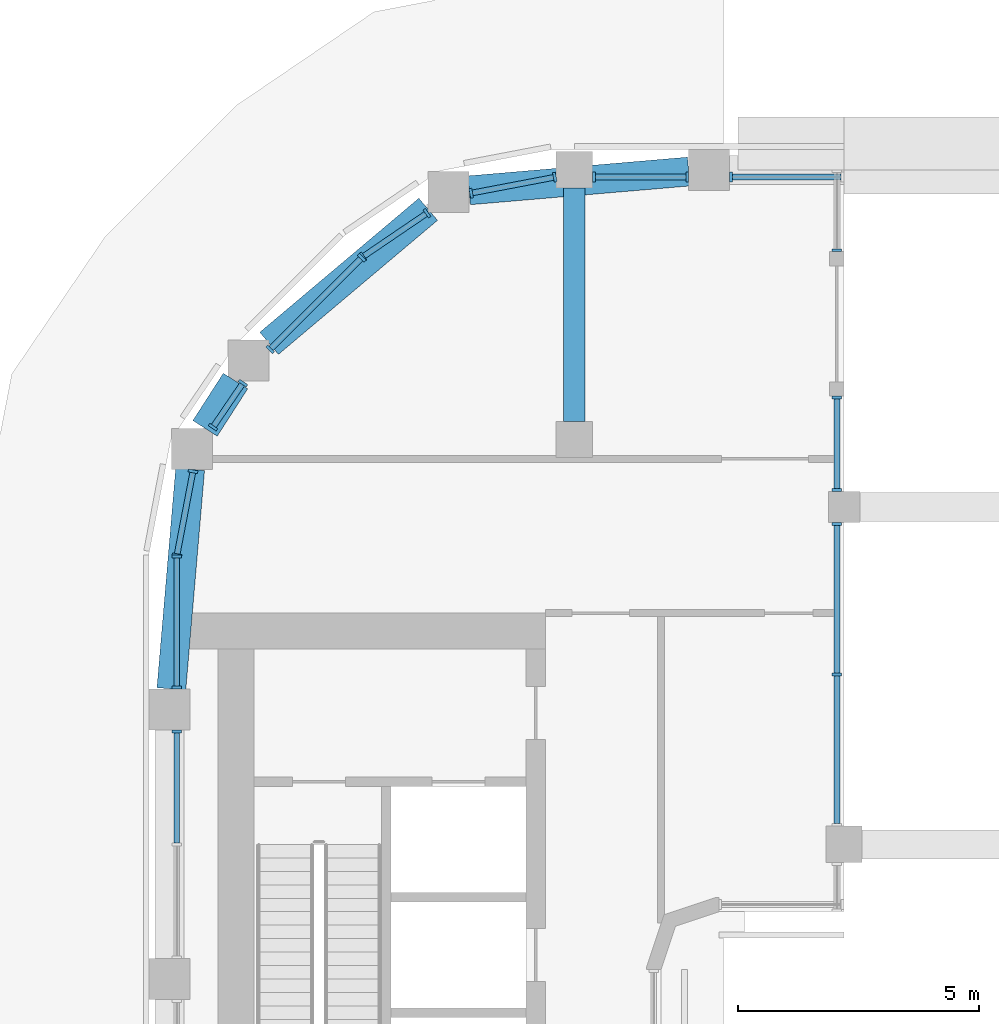
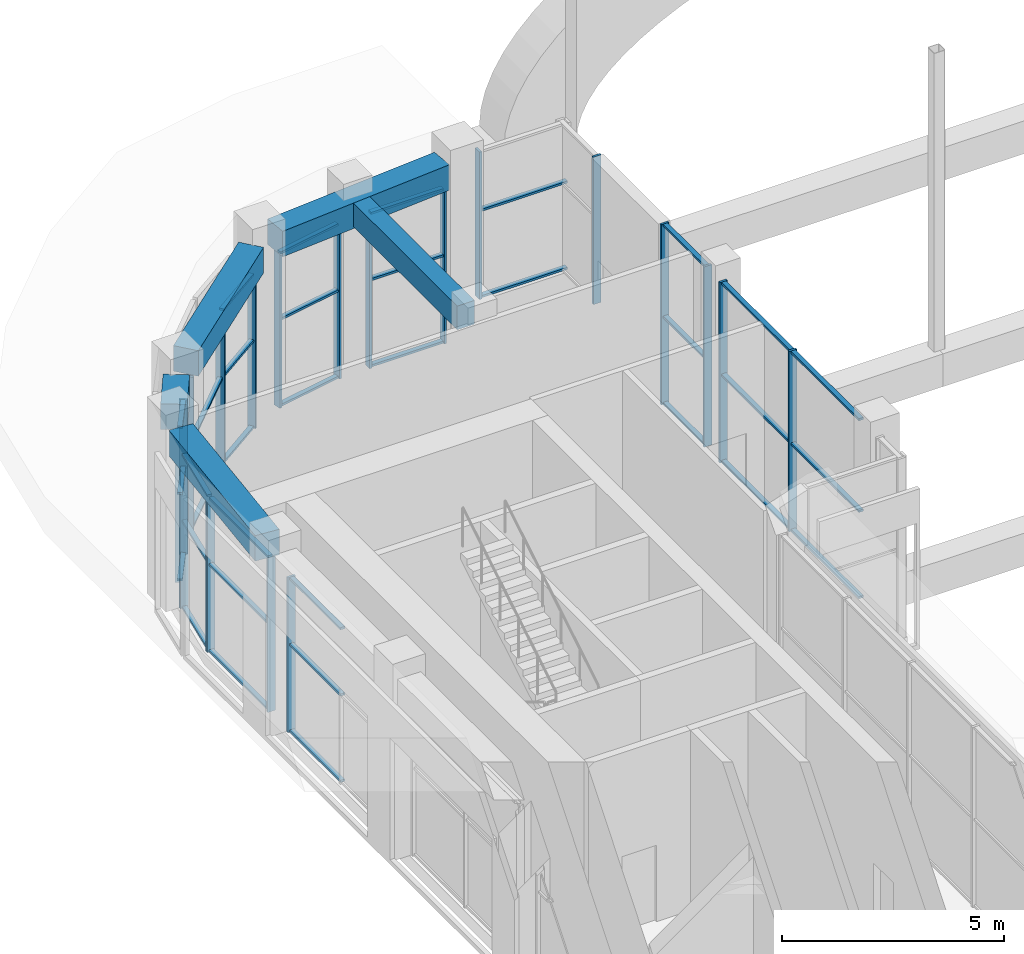
# One storey, part 8 of 26: 56 members, 5 beams, 12 elements without a shape of their own.
"""IFC4 building model written with IfcOpenShell, lengths in metres."""

from ifc_helpers import new_model, si_unit, direction, frame, origin, origin_2d, place, context, subcontext, project, spatial, rectangle, extrude, material, layer, layer_set, material_profile, profile_set, type_object, element, aggregate, save


model = new_model("IFC4")

# Units and contexts
model_context = context("Model", 3, precision=1e-05, world=origin(), true_north=direction((0.0, 1.0)))
body_context = subcontext(model_context, "Body", "Model", "MODEL_VIEW")
ifc_project = project(units=[si_unit("LENGTHUNIT", "METRE"), si_unit("AREAUNIT", "SQUARE_METRE"), si_unit("VOLUMEUNIT", "CUBIC_METRE"), si_unit("PLANEANGLEUNIT", "RADIAN"), si_unit("MASSUNIT", "GRAM", prefix="KILO")], contexts=[model_context])

# Site, building, storey
site_placement = place(None, origin())
site = spatial("IfcSite", under=ifc_project, at=site_placement, CompositionType="ELEMENT")
building_placement = place(site_placement, origin())
building = spatial("IfcBuilding", under=site, at=building_placement, Name="Kiln Ring Residences", CompositionType="ELEMENT")
storey_placement = place(building_placement, frame((0.0, 0.0, 230.89990234375)))
storey = spatial("IfcBuildingStorey", under=building, at=storey_placement, Name="L60", CompositionType="ELEMENT", Elevation=230.89990234375)

# Curtain wall, members
ifc_material_1 = material(Name="Aluminium and glass", Category="aluminium")
ifc_layer = layer(ifc_material_1, 0.199951171875)
ifc_layer_set = layer_set([ifc_layer], Name="CW1 CURTAIN WALL")
curtain_wall_type = type_object("IfcCurtainWallType", Name="CW1 CURTAIN WALL", PredefinedType="NOTDEFINED", material=ifc_layer_set)
placement = place(storey_placement, origin())
curtain_wall_1 = element("IfcCurtainWall", 1, at=placement, inside=storey, type_object=curtain_wall_type, Name="Curtain wall CW1 L60", PredefinedType="NOTDEFINED")
ifc_material_2 = material(Name="Aluminium 6063-T6", Category="aluminium")
ifc_material_profile_1 = material_profile(ifc_material_2, rectangle(XDim=0.199951171875, YDim=0.06005859375, at=origin_2d()), Name="AL 200x60")
ifc_profile_set_1 = profile_set([ifc_material_profile_1], Name="Aluminium 6063-T6")
member_type_1 = type_object("IfcMemberType", Name="CW1 MULLION 200 x 60", PredefinedType="MULLION", material=ifc_profile_set_1)
member_1_placement = place(storey_placement, frame((-11.35009765625, 11.925048828125, 0.0), z_axis=(0.0, 0.0, 1.0), x_axis=(-1.0, 0.0, 0.0)))
member_1 = element("IfcMember", 2, at=member_1_placement, type_object=member_type_1, Name="CW1 mullion 2", PredefinedType="MULLION", context=body_context, shape_type="SweptSolid", body=[
    extrude(rectangle(XDim=0.199951171875, YDim=0.06005859375, at=origin_2d()), origin(), (0.0, 0.0, 1.0), 4.9501953125),
])
member_2_placement = place(storey_placement, frame((-11.35009765625, 15.044921875, 0.0), z_axis=(0.0, 0.0, 1.0), x_axis=(-1.0, 0.0, 0.0)))
member_2 = element("IfcMember", 3, at=member_2_placement, type_object=member_type_1, Name="CW1 mullion 3", PredefinedType="MULLION", context=body_context, shape_type="SweptSolid", body=[
    extrude(rectangle(XDim=0.199951171875, YDim=0.06005859375, at=origin_2d()), origin(), (0.0, 0.0, 1.0), 4.9501953125),
])

curtain_wall_2 = element("IfcCurtainWall", 4, at=placement, inside=storey, type_object=curtain_wall_type, Name="Curtain wall CW1 L60", PredefinedType="NOTDEFINED")
member_3_placement = place(storey_placement, frame((-11.35009765625, 15.7548828125, 0.0), z_axis=(0.0, 0.0, 1.0), x_axis=(-1.0, 0.0, 0.0)))
member_3 = element("IfcMember", 5, at=member_3_placement, type_object=member_type_1, Name="CW1 mullion 1", PredefinedType="MULLION", context=body_context, shape_type="SweptSolid", body=[
    extrude(rectangle(XDim=0.199951171875, YDim=0.06005859375, at=origin_2d()), origin(), (0.0, 0.0, 1.0), 4.9501953125),
])
member_4_placement = place(storey_placement, frame((-11.35009765625, 17.669921875, 0.0), z_axis=(0.0, 0.0, 1.0), x_axis=(-1.0, 0.0, 0.0)))
member_4 = element("IfcMember", 6, at=member_4_placement, type_object=member_type_1, Name="CW1 mullion 2", PredefinedType="MULLION", context=body_context, shape_type="SweptSolid", body=[
    extrude(rectangle(XDim=0.199951171875, YDim=0.06005859375, at=origin_2d()), origin(), (0.0, 0.0, 1.0), 4.9501953125),
])

# Curtain wall, member
curtain_wall_3 = element("IfcCurtainWall", 7, at=placement, inside=storey, type_object=curtain_wall_type, Name="Curtain wall CW1 L60", PredefinedType="NOTDEFINED")
member_5_placement = place(storey_placement, frame((-11.35009765625, 20.72998046875, 0.900146484375), z_axis=(0.0, 0.0, 1.0), x_axis=(-1.0, 0.0, 0.0)))
member_5 = element("IfcMember", 8, at=member_5_placement, type_object=member_type_1, Name="CW1 mullion 1", PredefinedType="MULLION", context=body_context, shape_type="SweptSolid", body=[
    extrude(rectangle(XDim=0.199951171875, YDim=0.06005859375, at=origin_2d()), origin(), (0.0, 0.0, 1.0), 4.050048828125),
])
aggregate(curtain_wall_3, [member_5])

curtain_wall_4 = element("IfcCurtainWall", 9, at=placement, inside=storey, type_object=curtain_wall_type, Name="Curtain wall CW1 L60", PredefinedType="NOTDEFINED")
member_6_placement = place(storey_placement, frame((-13.544921875, 22.25, 0.900146484375), z_axis=(0.0, 0.0, 1.0), x_axis=(0.0, -1.0, 0.0)))
member_6 = element("IfcMember", 10, at=member_6_placement, type_object=member_type_1, Name="CW1 mullion 2", PredefinedType="MULLION", context=body_context, shape_type="SweptSolid", body=[
    extrude(rectangle(XDim=0.199951171875, YDim=0.06005859375, at=origin_2d()), origin(), (0.0, 0.0, 1.0), 4.050048828125),
])

# Curtain wall, members
curtain_wall_5 = element("IfcCurtainWall", 11, at=placement, inside=storey, type_object=curtain_wall_type, Name="Curtain wall CW1 L60", PredefinedType="NOTDEFINED")
member_7_placement = place(storey_placement, frame((-14.455078125, 22.25, 0.0), z_axis=(0.0, 0.0, 1.0), x_axis=(0.0, -1.0, 0.0)))
member_7 = element("IfcMember", 12, at=member_7_placement, type_object=member_type_1, Name="CW1 mullion 1", PredefinedType="MULLION", context=body_context, shape_type="SweptSolid", body=[
    extrude(rectangle(XDim=0.199951171875, YDim=0.06005859375, at=origin_2d()), origin(), (0.0, 0.0, 1.0), 4.25),
])
member_8_placement = place(storey_placement, frame((-16.39501953125, 22.25, 0.0), z_axis=(0.0, 0.0, 1.0), x_axis=(0.0, -1.0, 0.0)))
member_8 = element("IfcMember", 13, at=member_8_placement, type_object=member_type_1, Name="CW1 mullion 2", PredefinedType="MULLION", context=body_context, shape_type="SweptSolid", body=[
    extrude(rectangle(XDim=0.199951171875, YDim=0.06005859375, at=origin_2d()), origin(), (0.0, 0.0, 1.0), 4.25),
])

curtain_wall_6 = element("IfcCurtainWall", 14, at=placement, inside=storey, type_object=curtain_wall_type, Name="Curtain wall CW1 L60", PredefinedType="NOTDEFINED")
member_9_placement = place(storey_placement, frame((-17.20458984375, 22.246337890625, 0.0), z_axis=(0.0, 0.0, 1.0), x_axis=(0.18736555009, -0.982290257836, 0.0)))
member_9 = element("IfcMember", 15, at=member_9_placement, type_object=member_type_1, Name="CW1 mullion 1", PredefinedType="MULLION", context=body_context, shape_type="SweptSolid", body=[
    extrude(rectangle(XDim=0.199951171875, YDim=0.06005859375, at=origin_2d()), origin(), (0.0, 0.0, 1.0), 4.25),
])
member_10_placement = place(storey_placement, frame((-18.941162109375, 21.915283203125, 0.0), z_axis=(0.0, 0.0, 1.0), x_axis=(0.18736555009, -0.982290257836, 0.0)))
member_10 = element("IfcMember", 16, at=member_10_placement, type_object=member_type_1, Name="CW1 mullion 2", PredefinedType="MULLION", context=body_context, shape_type="SweptSolid", body=[
    extrude(rectangle(XDim=0.199951171875, YDim=0.06005859375, at=origin_2d()), origin(), (0.0, 0.0, 1.0), 4.25),
])

curtain_wall_7 = element("IfcCurtainWall", 17, at=placement, inside=storey, type_object=curtain_wall_type, Name="Curtain wall CW1 L60", PredefinedType="NOTDEFINED")
member_11_placement = place(storey_placement, frame((-19.8583984375, 21.499267578125, 0.0), z_axis=(0.0, 0.0, 1.0), x_axis=(0.562096651033, -0.827071553674, 0.0)))
member_11 = element("IfcMember", 18, at=member_11_placement, type_object=member_type_1, Name="CW1 mullion 1", PredefinedType="MULLION", context=body_context, shape_type="SweptSolid", body=[
    extrude(rectangle(XDim=0.199951171875, YDim=0.06005859375, at=origin_2d()), origin(), (0.0, 0.0, 1.0), 4.25),
])
member_12_placement = place(storey_placement, frame((-21.18798828125, 20.595703125, 0.0), z_axis=(0.0, 0.0, 1.0), x_axis=(0.562096651033, -0.827071553674, 0.0)))
member_12 = element("IfcMember", 19, at=member_12_placement, type_object=member_type_1, Name="CW1 mullion 2", PredefinedType="MULLION", context=body_context, shape_type="SweptSolid", body=[
    extrude(rectangle(XDim=0.199951171875, YDim=0.06005859375, at=origin_2d()), origin(), (0.0, 0.0, 1.0), 4.25),
])

curtain_wall_8 = element("IfcCurtainWall", 20, at=placement, inside=storey, type_object=curtain_wall_type, Name="Curtain wall CW1 L60", PredefinedType="NOTDEFINED")
member_13_placement = place(storey_placement, frame((-21.212158203125, 20.57568359375, 0.0), z_axis=(0.0, 0.0, 1.0), x_axis=(0.707106781187, -0.707106781187, 0.0)))
member_13 = element("IfcMember", 21, at=member_13_placement, type_object=member_type_1, Name="CW1 mullion 1", PredefinedType="MULLION", context=body_context, shape_type="SweptSolid", body=[
    extrude(rectangle(XDim=0.199951171875, YDim=0.06005859375, at=origin_2d()), origin(), (0.0, 0.0, 1.0), 4.25),
])
member_14_placement = place(storey_placement, frame((-23.113525390625, 18.67431640625, 0.0), z_axis=(0.0, 0.0, 1.0), x_axis=(0.707106781187, -0.707106781187, 0.0)))
member_14 = element("IfcMember", 22, at=member_14_placement, type_object=member_type_1, Name="CW1 mullion 2", PredefinedType="MULLION", context=body_context, shape_type="SweptSolid", body=[
    extrude(rectangle(XDim=0.199951171875, YDim=0.06005859375, at=origin_2d()), origin(), (0.0, 0.0, 1.0), 4.25),
])

curtain_wall_9 = element("IfcCurtainWall", 23, at=placement, inside=storey, type_object=curtain_wall_type, Name="Curtain wall CW1 L60", PredefinedType="NOTDEFINED")
member_15_placement = place(storey_placement, frame((-23.678955078125, 17.97119140625, 0.0), z_axis=(0.0, 0.0, 1.0), x_axis=(0.82707155387, -0.562096650745, 0.0)))
member_15 = element("IfcMember", 24, at=member_15_placement, type_object=member_type_1, Name="CW1 mullion 1", PredefinedType="MULLION", context=body_context, shape_type="SweptSolid", body=[
    extrude(rectangle(XDim=0.199951171875, YDim=0.06005859375, at=origin_2d()), origin(), (0.0, 0.0, 1.0), 4.25),
])
member_16_placement = place(storey_placement, frame((-24.29931640625, 17.05859375, 0.0), z_axis=(0.0, 0.0, 1.0), x_axis=(0.82707155387, -0.562096650745, 0.0)))
member_16 = element("IfcMember", 25, at=member_16_placement, type_object=member_type_1, Name="CW1 mullion 2", PredefinedType="MULLION", context=body_context, shape_type="SweptSolid", body=[
    extrude(rectangle(XDim=0.199951171875, YDim=0.06005859375, at=origin_2d()), origin(), (0.0, 0.0, 1.0), 4.25),
])

curtain_wall_10 = element("IfcCurtainWall", 26, at=placement, inside=storey, type_object=curtain_wall_type, Name="Curtain wall CW1 L60", PredefinedType="NOTDEFINED")
member_17_placement = place(storey_placement, frame((-24.715087890625, 16.14111328125, 0.0), z_axis=(0.0, 0.0, 1.0), x_axis=(0.982290257829, -0.187365550124, 0.0)))
member_17 = element("IfcMember", 27, at=member_17_placement, type_object=member_type_1, Name="CW1 mullion 1", PredefinedType="MULLION", context=body_context, shape_type="SweptSolid", body=[
    extrude(rectangle(XDim=0.199951171875, YDim=0.06005859375, at=origin_2d()), origin(), (0.0, 0.0, 1.0), 4.25),
])
member_18_placement = place(storey_placement, frame((-25.047119140625, 14.4013671875, 0.0), z_axis=(0.0, 0.0, 1.0), x_axis=(0.982290257829, -0.187365550124, 0.0)))
member_18 = element("IfcMember", 28, at=member_18_placement, type_object=member_type_1, Name="CW1 mullion 2", PredefinedType="MULLION", context=body_context, shape_type="SweptSolid", body=[
    extrude(rectangle(XDim=0.199951171875, YDim=0.06005859375, at=origin_2d()), origin(), (0.0, 0.0, 1.0), 4.25),
])

curtain_wall_11 = element("IfcCurtainWall", 29, at=placement, inside=storey, type_object=curtain_wall_type, Name="Curtain wall CW1 L60", PredefinedType="NOTDEFINED")
member_19_placement = place(storey_placement, frame((-25.050048828125, 14.3701171875, 0.0), z_axis=(0.0, 0.0, 1.0), x_axis=(1.0, 0.0, 0.0)))
member_19 = element("IfcMember", 30, at=member_19_placement, type_object=member_type_1, Name="CW1 mullion 1", PredefinedType="MULLION", context=body_context, shape_type="SweptSolid", body=[
    extrude(rectangle(XDim=0.199951171875, YDim=0.06005859375, at=origin_2d()), origin(), (0.0, 0.0, 1.0), 4.25),
])
member_20_placement = place(storey_placement, frame((-25.050048828125, 11.655029296875, 0.0), z_axis=(0.0, 0.0, 1.0), x_axis=(1.0, 0.0, 0.0)))
member_20 = element("IfcMember", 31, at=member_20_placement, type_object=member_type_1, Name="CW1 mullion 2", PredefinedType="MULLION", context=body_context, shape_type="SweptSolid", body=[
    extrude(rectangle(XDim=0.199951171875, YDim=0.06005859375, at=origin_2d()), origin(), (0.0, 0.0, 1.0), 4.25),
])

# Curtain wall, member
curtain_wall_12 = element("IfcCurtainWall", 32, at=placement, inside=storey, type_object=curtain_wall_type, Name="Curtain wall CW1 L60", PredefinedType="NOTDEFINED")
member_21_placement = place(storey_placement, frame((-25.050048828125, 10.7451171875, 0.0), z_axis=(0.0, 0.0, 1.0), x_axis=(1.0, 0.0, 0.0)))
member_21 = element("IfcMember", 33, at=member_21_placement, type_object=member_type_1, Name="CW1 mullion 1", PredefinedType="MULLION", context=body_context, shape_type="SweptSolid", body=[
    extrude(rectangle(XDim=0.199951171875, YDim=0.06005859375, at=origin_2d()), origin(), (0.0, 0.0, 1.0), 4.25),
])

# Member
ifc_material_3 = material(Name="Aluminium 6063-T6", Category="aluminium")
ifc_material_profile_2 = material_profile(ifc_material_3, rectangle(XDim=0.1201171875, YDim=0.06005859375, at=origin_2d()), Name="AL 120x60")
ifc_profile_set_2 = profile_set([ifc_material_profile_2], Name="Aluminium 6063-T6")
member_type_2 = type_object("IfcMemberType", Name="CW1 TRANSOM 120 x 60", PredefinedType="USERDEFINED", material=ifc_profile_set_2)
member_22_placement = place(storey_placement, frame((-11.35009765625, 8.8349609375, 0.030029296875), z_axis=(0.0, 1.0, 0.0), x_axis=(-1.0, 0.0, 0.0)))
member_22 = element("IfcMember", 34, at=member_22_placement, type_object=member_type_2, Name="CW1 transom 1.1", ObjectType="TRANSOM", PredefinedType="USERDEFINED", context=body_context, shape_type="SweptSolid", body=[
    extrude(rectangle(XDim=0.1201171875, YDim=0.06005859375, at=origin_2d()), origin(), (0.0, 0.0, 1.0), 3.06005859375),
])

member_23_placement = place(storey_placement, frame((-11.35009765625, 8.8349609375, 2.400146484375), z_axis=(0.0, 1.0, 0.0), x_axis=(-1.0, 0.0, 0.0)))
member_23 = element("IfcMember", 35, at=member_23_placement, type_object=member_type_2, Name="CW1 transom 1.2", ObjectType="TRANSOM", PredefinedType="USERDEFINED", context=body_context, shape_type="SweptSolid", body=[
    extrude(rectangle(XDim=0.1201171875, YDim=0.06005859375, at=origin_2d()), origin(), (0.0, 0.0, 1.0), 3.06005859375),
])

member_24_placement = place(storey_placement, frame((-11.35009765625, 8.8349609375, 4.920166015625), z_axis=(0.0, 1.0, 0.0), x_axis=(-1.0, 0.0, 0.0)))
member_24 = element("IfcMember", 36, at=member_24_placement, type_object=member_type_2, Name="CW1 transom 1.3", ObjectType="TRANSOM", PredefinedType="USERDEFINED", context=body_context, shape_type="SweptSolid", body=[
    extrude(rectangle(XDim=0.1201171875, YDim=0.06005859375, at=origin_2d()), origin(), (0.0, 0.0, 1.0), 3.06005859375),
])

member_25_placement = place(storey_placement, frame((-11.35009765625, 11.955078125, 0.030029296875), z_axis=(0.0, 1.0, 0.0), x_axis=(-1.0, 0.0, 0.0)))
member_25 = element("IfcMember", 37, at=member_25_placement, type_object=member_type_2, Name="CW1 transom 2.1", ObjectType="TRANSOM", PredefinedType="USERDEFINED", context=body_context, shape_type="SweptSolid", body=[
    extrude(rectangle(XDim=0.1201171875, YDim=0.06005859375, at=origin_2d()), origin(), (0.0, 0.0, 1.0), 3.059814453125),
])

member_26_placement = place(storey_placement, frame((-11.35009765625, 11.955078125, 2.400146484375), z_axis=(0.0, 1.0, 0.0), x_axis=(-1.0, 0.0, 0.0)))
member_26 = element("IfcMember", 38, at=member_26_placement, type_object=member_type_2, Name="CW1 transom 2.2", ObjectType="TRANSOM", PredefinedType="USERDEFINED", context=body_context, shape_type="SweptSolid", body=[
    extrude(rectangle(XDim=0.1201171875, YDim=0.06005859375, at=origin_2d()), origin(), (0.0, 0.0, 1.0), 3.059814453125),
])

member_27_placement = place(storey_placement, frame((-11.35009765625, 11.955078125, 4.920166015625), z_axis=(0.0, 1.0, 0.0), x_axis=(-1.0, 0.0, 0.0)))
member_27 = element("IfcMember", 39, at=member_27_placement, type_object=member_type_2, Name="CW1 transom 2.3", ObjectType="TRANSOM", PredefinedType="USERDEFINED", context=body_context, shape_type="SweptSolid", body=[
    extrude(rectangle(XDim=0.1201171875, YDim=0.06005859375, at=origin_2d()), origin(), (0.0, 0.0, 1.0), 3.059814453125),
])

aggregate(curtain_wall_1, [member_1, member_2, member_22, member_23, member_24, member_25, member_26, member_27])

member_28_placement = place(storey_placement, frame((-11.35009765625, 15.784912109375, 0.030029296875), z_axis=(0.0, 1.0, 0.0), x_axis=(-1.0, 0.0, 0.0)))
member_28 = element("IfcMember", 40, at=member_28_placement, type_object=member_type_2, Name="CW1 transom 1.1", ObjectType="TRANSOM", PredefinedType="USERDEFINED", context=body_context, shape_type="SweptSolid", body=[
    extrude(rectangle(XDim=0.1201171875, YDim=0.06005859375, at=origin_2d()), origin(), (0.0, 0.0, 1.0), 1.85498046875),
])

member_29_placement = place(storey_placement, frame((-11.35009765625, 15.784912109375, 2.400146484375), z_axis=(0.0, 1.0, 0.0), x_axis=(-1.0, 0.0, 0.0)))
member_29 = element("IfcMember", 41, at=member_29_placement, type_object=member_type_2, Name="CW1 transom 1.2", ObjectType="TRANSOM", PredefinedType="USERDEFINED", context=body_context, shape_type="SweptSolid", body=[
    extrude(rectangle(XDim=0.1201171875, YDim=0.06005859375, at=origin_2d()), origin(), (0.0, 0.0, 1.0), 1.85498046875),
])

member_30_placement = place(storey_placement, frame((-11.35009765625, 15.784912109375, 4.920166015625), z_axis=(0.0, 1.0, 0.0), x_axis=(-1.0, 0.0, 0.0)))
member_30 = element("IfcMember", 42, at=member_30_placement, type_object=member_type_2, Name="CW1 transom 1.3", ObjectType="TRANSOM", PredefinedType="USERDEFINED", context=body_context, shape_type="SweptSolid", body=[
    extrude(rectangle(XDim=0.1201171875, YDim=0.06005859375, at=origin_2d()), origin(), (0.0, 0.0, 1.0), 1.85498046875),
])

aggregate(curtain_wall_2, [member_3, member_4, member_28, member_29, member_30])

member_31_placement = place(storey_placement, frame((-11.260009765625, 22.25, 0.93017578125), z_axis=(-1.0, 0.0, 0.0), x_axis=(0.0, -1.0, 0.0)))
member_31 = element("IfcMember", 43, at=member_31_placement, type_object=member_type_2, Name="CW1 transom 1.1", ObjectType="TRANSOM", PredefinedType="USERDEFINED", context=body_context, shape_type="SweptSolid", body=[
    extrude(rectangle(XDim=0.1201171875, YDim=0.06005859375, at=origin_2d()), origin(), (0.0, 0.0, 1.0), 2.2548828125),
])

member_32_placement = place(storey_placement, frame((-11.260009765625, 22.25, 3.300048828125), z_axis=(-1.0, 0.0, 0.0), x_axis=(0.0, -1.0, 0.0)))
member_32 = element("IfcMember", 44, at=member_32_placement, type_object=member_type_2, Name="CW1 transom 1.2", ObjectType="TRANSOM", PredefinedType="USERDEFINED", context=body_context, shape_type="SweptSolid", body=[
    extrude(rectangle(XDim=0.1201171875, YDim=0.06005859375, at=origin_2d()), origin(), (0.0, 0.0, 1.0), 2.2548828125),
])

aggregate(curtain_wall_4, [member_6, member_31, member_32])

member_33_placement = place(storey_placement, frame((-14.485107421875, 22.25, 0.030029296875), z_axis=(-1.0, 0.0, 0.0), x_axis=(0.0, -1.0, 0.0)))
member_33 = element("IfcMember", 45, at=member_33_placement, type_object=member_type_2, Name="CW1 transom 1.1", ObjectType="TRANSOM", PredefinedType="USERDEFINED", context=body_context, shape_type="SweptSolid", body=[
    extrude(rectangle(XDim=0.1201171875, YDim=0.06005859375, at=origin_2d()), origin(), (0.0, 0.0, 1.0), 1.8798828125),
])

member_34_placement = place(storey_placement, frame((-14.485107421875, 22.25, 2.400146484375), z_axis=(-1.0, 0.0, 0.0), x_axis=(0.0, -1.0, 0.0)))
member_34 = element("IfcMember", 46, at=member_34_placement, type_object=member_type_2, Name="CW1 transom 1.2", ObjectType="TRANSOM", PredefinedType="USERDEFINED", context=body_context, shape_type="SweptSolid", body=[
    extrude(rectangle(XDim=0.1201171875, YDim=0.06005859375, at=origin_2d()), origin(), (0.0, 0.0, 1.0), 1.8798828125),
])

member_35_placement = place(storey_placement, frame((-14.485107421875, 22.25, 4.22021484375), z_axis=(-1.0, 0.0, 0.0), x_axis=(0.0, -1.0, 0.0)))
member_35 = element("IfcMember", 47, at=member_35_placement, type_object=member_type_2, Name="CW1 transom 1.3", ObjectType="TRANSOM", PredefinedType="USERDEFINED", context=body_context, shape_type="SweptSolid", body=[
    extrude(rectangle(XDim=0.1201171875, YDim=0.06005859375, at=origin_2d()), origin(), (0.0, 0.0, 1.0), 1.8798828125),
])

aggregate(curtain_wall_5, [member_7, member_8, member_33, member_34, member_35])

member_36_placement = place(storey_placement, frame((-17.23388671875, 22.24072265625, 0.030029296875), z_axis=(-0.982311030476, -0.187256613784, 0.0), x_axis=(0.187256613784, -0.982311030476, 0.0)))
member_36 = element("IfcMember", 48, at=member_36_placement, type_object=member_type_2, Name="CW1 transom 1.1", ObjectType="TRANSOM", PredefinedType="USERDEFINED", context=body_context, shape_type="SweptSolid", body=[
    extrude(rectangle(XDim=0.1201171875, YDim=0.06005859375, at=origin_2d()), origin(), (0.0, 0.0, 1.0), 1.7080078125),
])

member_37_placement = place(storey_placement, frame((-17.23388671875, 22.24072265625, 2.400146484375), z_axis=(-0.982311030476, -0.187256613784, 0.0), x_axis=(0.187256613784, -0.982311030476, 0.0)))
member_37 = element("IfcMember", 49, at=member_37_placement, type_object=member_type_2, Name="CW1 transom 1.2", ObjectType="TRANSOM", PredefinedType="USERDEFINED", context=body_context, shape_type="SweptSolid", body=[
    extrude(rectangle(XDim=0.1201171875, YDim=0.06005859375, at=origin_2d()), origin(), (0.0, 0.0, 1.0), 1.7080078125),
])

member_38_placement = place(storey_placement, frame((-17.23388671875, 22.24072265625, 4.22021484375), z_axis=(-0.982311030476, -0.187256613784, 0.0), x_axis=(0.187256613784, -0.982311030476, 0.0)))
member_38 = element("IfcMember", 50, at=member_38_placement, type_object=member_type_2, Name="CW1 transom 1.3", ObjectType="TRANSOM", PredefinedType="USERDEFINED", context=body_context, shape_type="SweptSolid", body=[
    extrude(rectangle(XDim=0.1201171875, YDim=0.06005859375, at=origin_2d()), origin(), (0.0, 0.0, 1.0), 1.7080078125),
])

aggregate(curtain_wall_6, [member_9, member_10, member_36, member_37, member_38])

member_39_placement = place(storey_placement, frame((-19.88330078125, 21.482421875, 0.030029296875), z_axis=(-0.827040930073, -0.562141708098, 0.0), x_axis=(0.562141708098, -0.827040930073, 0.0)))
member_39 = element("IfcMember", 51, at=member_39_placement, type_object=member_type_2, Name="CW1 transom 1.1", ObjectType="TRANSOM", PredefinedType="USERDEFINED", context=body_context, shape_type="SweptSolid", body=[
    extrude(rectangle(XDim=0.1201171875, YDim=0.06005859375, at=origin_2d()), origin(), (0.0, 0.0, 1.0), 1.54736328125),
])

member_40_placement = place(storey_placement, frame((-19.88330078125, 21.482421875, 2.400146484375), z_axis=(-0.827040930073, -0.562141708098, 0.0), x_axis=(0.562141708098, -0.827040930073, 0.0)))
member_40 = element("IfcMember", 52, at=member_40_placement, type_object=member_type_2, Name="CW1 transom 1.2", ObjectType="TRANSOM", PredefinedType="USERDEFINED", context=body_context, shape_type="SweptSolid", body=[
    extrude(rectangle(XDim=0.1201171875, YDim=0.06005859375, at=origin_2d()), origin(), (0.0, 0.0, 1.0), 1.54736328125),
])

member_41_placement = place(storey_placement, frame((-19.88330078125, 21.482421875, 4.22021484375), z_axis=(-0.827040930073, -0.562141708098, 0.0), x_axis=(0.562141708098, -0.827040930073, 0.0)))
member_41 = element("IfcMember", 53, at=member_41_placement, type_object=member_type_2, Name="CW1 transom 1.3", ObjectType="TRANSOM", PredefinedType="USERDEFINED", context=body_context, shape_type="SweptSolid", body=[
    extrude(rectangle(XDim=0.1201171875, YDim=0.06005859375, at=origin_2d()), origin(), (0.0, 0.0, 1.0), 1.54736328125),
])

aggregate(curtain_wall_7, [member_11, member_12, member_39, member_40, member_41])

member_42_placement = place(storey_placement, frame((-21.2333984375, 20.554443359375, 0.030029296875), z_axis=(-0.707106781187, -0.707106781187, 0.0), x_axis=(0.707106781187, -0.707106781187, 0.0)))
member_42 = element("IfcMember", 54, at=member_42_placement, type_object=member_type_2, Name="CW1 transom 1.1", ObjectType="TRANSOM", PredefinedType="USERDEFINED", context=body_context, shape_type="SweptSolid", body=[
    extrude(rectangle(XDim=0.1201171875, YDim=0.06005859375, at=origin_2d()), origin(), (0.0, 0.0, 1.0), 2.62890625),
])

member_43_placement = place(storey_placement, frame((-21.2333984375, 20.554443359375, 2.400146484375), z_axis=(-0.707106781187, -0.707106781187, 0.0), x_axis=(0.707106781187, -0.707106781187, 0.0)))
member_43 = element("IfcMember", 55, at=member_43_placement, type_object=member_type_2, Name="CW1 transom 1.2", ObjectType="TRANSOM", PredefinedType="USERDEFINED", context=body_context, shape_type="SweptSolid", body=[
    extrude(rectangle(XDim=0.1201171875, YDim=0.06005859375, at=origin_2d()), origin(), (0.0, 0.0, 1.0), 2.62890625),
])

member_44_placement = place(storey_placement, frame((-21.2333984375, 20.554443359375, 4.22021484375), z_axis=(-0.707106781187, -0.707106781187, 0.0), x_axis=(0.707106781187, -0.707106781187, 0.0)))
member_44 = element("IfcMember", 56, at=member_44_placement, type_object=member_type_2, Name="CW1 transom 1.3", ObjectType="TRANSOM", PredefinedType="USERDEFINED", context=body_context, shape_type="SweptSolid", body=[
    extrude(rectangle(XDim=0.1201171875, YDim=0.06005859375, at=origin_2d()), origin(), (0.0, 0.0, 1.0), 2.62890625),
])

aggregate(curtain_wall_8, [member_13, member_14, member_42, member_43, member_44])

member_45_placement = place(storey_placement, frame((-23.69580078125, 17.9462890625, 0.030029296875), z_axis=(-0.562182033231, -0.827013519546, 0.0), x_axis=(0.827013519546, -0.562182033231, 0.0)))
member_45 = element("IfcMember", 57, at=member_45_placement, type_object=member_type_2, Name="CW1 transom 1.1", ObjectType="TRANSOM", PredefinedType="USERDEFINED", context=body_context, shape_type="SweptSolid", body=[
    extrude(rectangle(XDim=0.1201171875, YDim=0.06005859375, at=origin_2d()), origin(), (0.0, 0.0, 1.0), 1.04345703125),
])

member_46_placement = place(storey_placement, frame((-23.69580078125, 17.9462890625, 2.400146484375), z_axis=(-0.562182033231, -0.827013519546, 0.0), x_axis=(0.827013519546, -0.562182033231, 0.0)))
member_46 = element("IfcMember", 58, at=member_46_placement, type_object=member_type_2, Name="CW1 transom 1.2", ObjectType="TRANSOM", PredefinedType="USERDEFINED", context=body_context, shape_type="SweptSolid", body=[
    extrude(rectangle(XDim=0.1201171875, YDim=0.06005859375, at=origin_2d()), origin(), (0.0, 0.0, 1.0), 1.04345703125),
])

member_47_placement = place(storey_placement, frame((-23.69580078125, 17.9462890625, 4.22021484375), z_axis=(-0.562182033231, -0.827013519546, 0.0), x_axis=(0.827013519546, -0.562182033231, 0.0)))
member_47 = element("IfcMember", 59, at=member_47_placement, type_object=member_type_2, Name="CW1 transom 1.3", ObjectType="TRANSOM", PredefinedType="USERDEFINED", context=body_context, shape_type="SweptSolid", body=[
    extrude(rectangle(XDim=0.1201171875, YDim=0.06005859375, at=origin_2d()), origin(), (0.0, 0.0, 1.0), 1.04345703125),
])

aggregate(curtain_wall_9, [member_15, member_16, member_45, member_46, member_47])

member_48_placement = place(storey_placement, frame((-24.720703125, 16.111572265625, 0.030029296875), z_axis=(-0.187492387772, -0.982266055877, 0.0), x_axis=(0.982266055877, -0.187492387772, 0.0)))
member_48 = element("IfcMember", 60, at=member_48_placement, type_object=member_type_2, Name="CW1 transom 1.1", ObjectType="TRANSOM", PredefinedType="USERDEFINED", context=body_context, shape_type="SweptSolid", body=[
    extrude(rectangle(XDim=0.1201171875, YDim=0.06005859375, at=origin_2d()), origin(), (0.0, 0.0, 1.0), 1.7109375),
])

member_49_placement = place(storey_placement, frame((-24.720703125, 16.111572265625, 2.400146484375), z_axis=(-0.187492387772, -0.982266055877, 0.0), x_axis=(0.982266055877, -0.187492387772, 0.0)))
member_49 = element("IfcMember", 61, at=member_49_placement, type_object=member_type_2, Name="CW1 transom 1.2", ObjectType="TRANSOM", PredefinedType="USERDEFINED", context=body_context, shape_type="SweptSolid", body=[
    extrude(rectangle(XDim=0.1201171875, YDim=0.06005859375, at=origin_2d()), origin(), (0.0, 0.0, 1.0), 1.7109375),
])

member_50_placement = place(storey_placement, frame((-24.720703125, 16.111572265625, 4.22021484375), z_axis=(-0.187492387772, -0.982266055877, 0.0), x_axis=(0.982266055877, -0.187492387772, 0.0)))
member_50 = element("IfcMember", 62, at=member_50_placement, type_object=member_type_2, Name="CW1 transom 1.3", ObjectType="TRANSOM", PredefinedType="USERDEFINED", context=body_context, shape_type="SweptSolid", body=[
    extrude(rectangle(XDim=0.1201171875, YDim=0.06005859375, at=origin_2d()), origin(), (0.0, 0.0, 1.0), 1.7109375),
])

aggregate(curtain_wall_10, [member_17, member_18, member_48, member_49, member_50])

member_51_placement = place(storey_placement, frame((-25.050048828125, 14.340087890625, 0.030029296875), z_axis=(0.0, -1.0, 0.0), x_axis=(1.0, 0.0, 0.0)))
member_51 = element("IfcMember", 63, at=member_51_placement, type_object=member_type_2, Name="CW1 transom 1.1", ObjectType="TRANSOM", PredefinedType="USERDEFINED", context=body_context, shape_type="SweptSolid", body=[
    extrude(rectangle(XDim=0.1201171875, YDim=0.06005859375, at=origin_2d()), origin(), (0.0, 0.0, 1.0), 2.655029296875),
])

member_52_placement = place(storey_placement, frame((-25.050048828125, 14.340087890625, 2.400146484375), z_axis=(0.0, -1.0, 0.0), x_axis=(1.0, 0.0, 0.0)))
member_52 = element("IfcMember", 64, at=member_52_placement, type_object=member_type_2, Name="CW1 transom 1.2", ObjectType="TRANSOM", PredefinedType="USERDEFINED", context=body_context, shape_type="SweptSolid", body=[
    extrude(rectangle(XDim=0.1201171875, YDim=0.06005859375, at=origin_2d()), origin(), (0.0, 0.0, 1.0), 2.655029296875),
])

member_53_placement = place(storey_placement, frame((-25.050048828125, 14.340087890625, 4.22021484375), z_axis=(0.0, -1.0, 0.0), x_axis=(1.0, 0.0, 0.0)))
member_53 = element("IfcMember", 65, at=member_53_placement, type_object=member_type_2, Name="CW1 transom 1.3", ObjectType="TRANSOM", PredefinedType="USERDEFINED", context=body_context, shape_type="SweptSolid", body=[
    extrude(rectangle(XDim=0.1201171875, YDim=0.06005859375, at=origin_2d()), origin(), (0.0, 0.0, 1.0), 2.655029296875),
])

aggregate(curtain_wall_11, [member_19, member_20, member_51, member_52, member_53])

member_54_placement = place(storey_placement, frame((-25.050048828125, 10.715087890625, 0.030029296875), z_axis=(0.0, -1.0, 0.0), x_axis=(1.0, 0.0, 0.0)))
member_54 = element("IfcMember", 66, at=member_54_placement, type_object=member_type_2, Name="CW1 transom 1.1", ObjectType="TRANSOM", PredefinedType="USERDEFINED", context=body_context, shape_type="SweptSolid", body=[
    extrude(rectangle(XDim=0.1201171875, YDim=0.06005859375, at=origin_2d()), origin(), (0.0, 0.0, 1.0), 2.28515625),
])

member_55_placement = place(storey_placement, frame((-25.050048828125, 10.715087890625, 2.400146484375), z_axis=(0.0, -1.0, 0.0), x_axis=(1.0, 0.0, 0.0)))
member_55 = element("IfcMember", 67, at=member_55_placement, type_object=member_type_2, Name="CW1 transom 1.2", ObjectType="TRANSOM", PredefinedType="USERDEFINED", context=body_context, shape_type="SweptSolid", body=[
    extrude(rectangle(XDim=0.1201171875, YDim=0.06005859375, at=origin_2d()), origin(), (0.0, 0.0, 1.0), 2.28515625),
])

member_56_placement = place(storey_placement, frame((-25.050048828125, 10.715087890625, 4.22021484375), z_axis=(0.0, -1.0, 0.0), x_axis=(1.0, 0.0, 0.0)))
member_56 = element("IfcMember", 68, at=member_56_placement, type_object=member_type_2, Name="CW1 transom 1.3", ObjectType="TRANSOM", PredefinedType="USERDEFINED", context=body_context, shape_type="SweptSolid", body=[
    extrude(rectangle(XDim=0.1201171875, YDim=0.06005859375, at=origin_2d()), origin(), (0.0, 0.0, 1.0), 2.28515625),
])

aggregate(curtain_wall_12, [member_21, member_54, member_55, member_56])

# Beams
ifc_material_4 = material(Name="Concrete C50/60", Category="concrete")
ifc_material_profile_3 = material_profile(ifc_material_4, rectangle(XDim=0.449951171875, YDim=0.64990234375, at=origin_2d()), Name="RC450x650")
ifc_profile_set_3 = profile_set([ifc_material_profile_3], Name="Concrete C50/60")
beam_type_1 = type_object("IfcBeamType", Name="Ring beam RC450x650 C50/60", PredefinedType="BEAM", material=ifc_profile_set_3)
beam_1_placement = place(storey_placement, frame((-16.800048828125, 17.175048828125, 4.625), z_axis=(0.0, 1.0, 0.0), x_axis=(-1.0, 0.0, 0.0)))
element("IfcBeam", 69, at=beam_1_placement, inside=storey, type_object=beam_type_1, Name="Ring beam L60 2", PredefinedType="BEAM", context=body_context, shape_type="SweptSolid", body=[
    extrude(rectangle(XDim=0.449951171875, YDim=0.64990234375, at=origin_2d()), origin(), (0.0, 0.0, 1.0), 4.849853515625),
])
ifc_material_5 = material(Name="Concrete C50/60", Category="concrete")
ifc_material_profile_4 = material_profile(ifc_material_5, rectangle(XDim=0.60009765625, YDim=0.699951171875, at=origin_2d()), Name="RC600x700")
ifc_profile_set_4 = profile_set([ifc_material_profile_4], Name="Concrete C50/60")
beam_type_2 = type_object("IfcBeamType", Name="Spandrel beam RC600x700 C50/60", PredefinedType="SPANDREL", material=ifc_profile_set_4)
beam_2_placement = place(storey_placement, frame((-14.425048828125, 22.36376953125, 4.60009765625), z_axis=(-0.996371385312, -0.085112058675, 0.0), x_axis=(0.085112058675, -0.996371385312, 0.0)))
element("IfcBeam", 70, at=beam_2_placement, inside=storey, type_object=beam_type_2, Name="Spandrel beam L60 14", PredefinedType="SPANDREL", context=body_context, shape_type="SweptSolid", body=[
    extrude(rectangle(XDim=0.60009765625, YDim=0.699951171875, at=origin_2d()), origin(), (0.0, 0.0, 1.0), 4.5751953125),
])
beam_3_placement = place(storey_placement, frame((-19.833740234375, 21.580078125, 4.60009765625), z_axis=(-0.764691163306, -0.64439694658, 0.0), x_axis=(0.64439694658, -0.764691163306, 0.0)))
element("IfcBeam", 71, at=beam_3_placement, inside=storey, type_object=beam_type_2, Name="Spandrel beam L60 15", PredefinedType="SPANDREL", context=body_context, shape_type="SweptSolid", body=[
    extrude(rectangle(XDim=0.60009765625, YDim=0.699951171875, at=origin_2d()), origin(), (0.0, 0.0, 1.0), 4.31689453125),
])
beam_4_placement = place(storey_placement, frame((-23.833251953125, 18.01513671875, 4.60009765625), z_axis=(-0.541011334995, -0.84101530034, 0.0), x_axis=(0.84101530034, -0.541011334995, 0.0)))
element("IfcBeam", 72, at=beam_4_placement, inside=storey, type_object=beam_type_2, Name="Spandrel beam L60 16", PredefinedType="SPANDREL", context=body_context, shape_type="SweptSolid", body=[
    extrude(rectangle(XDim=0.60009765625, YDim=0.699951171875, at=origin_2d()), origin(), (0.0, 0.0, 1.0), 1.1669921875),
])
beam_5_placement = place(storey_placement, frame((-24.7744140625, 16.18359375, 4.60009765625), z_axis=(-0.085112058675, -0.996371385312, 0.0), x_axis=(0.996371385312, -0.085112058675, 0.0)))
element("IfcBeam", 73, at=beam_5_placement, inside=storey, type_object=beam_type_2, Name="Spandrel beam L60 17", PredefinedType="SPANDREL", context=body_context, shape_type="SweptSolid", body=[
    extrude(rectangle(XDim=0.60009765625, YDim=0.699951171875, at=origin_2d()), origin(), (0.0, 0.0, 1.0), 4.5751953125),
])

save(model, "model.ifc")
